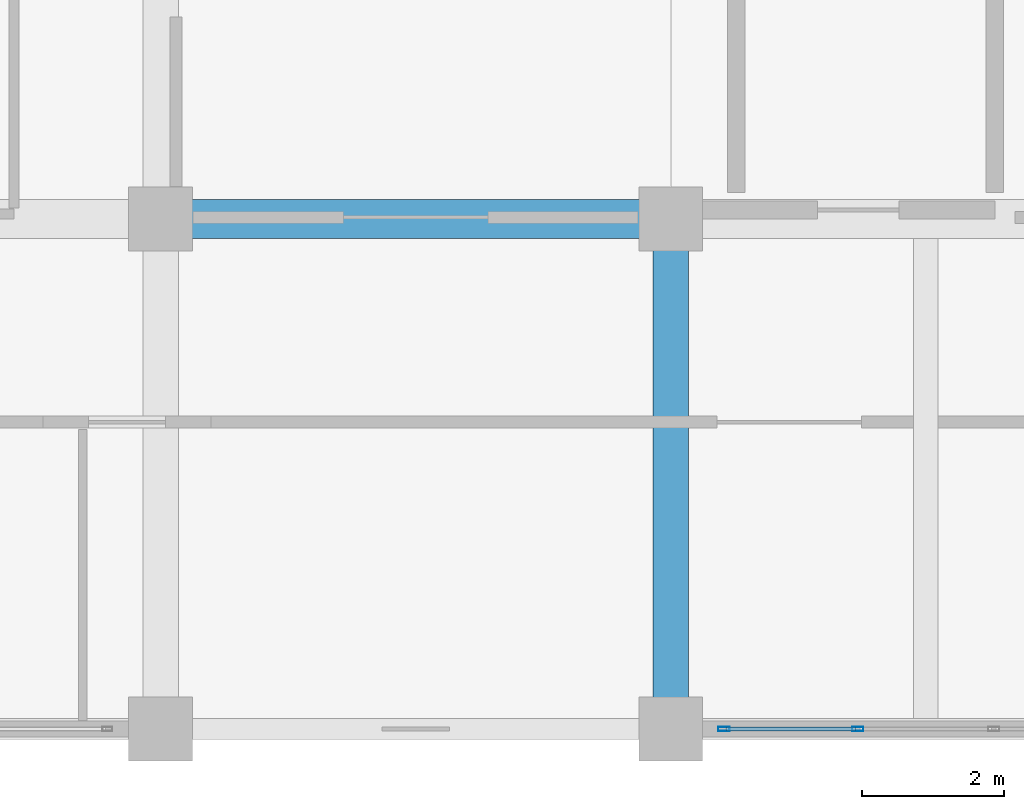
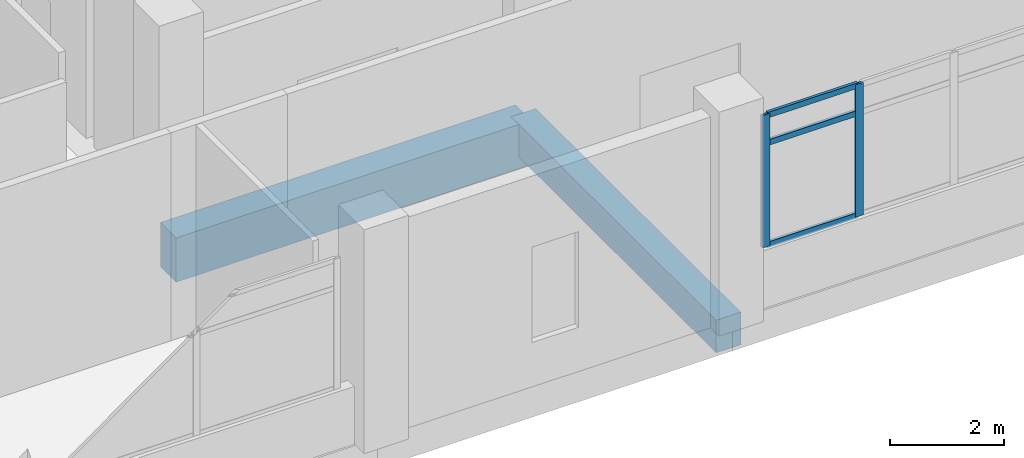
# One storey, part 34 of 181: 5 members, 2 beams, 1 element without a shape of its own.
"""IFC4 building model written with IfcOpenShell, lengths in metres."""

from ifc_helpers import new_model, si_unit, direction, frame, origin, origin_2d, place, context, subcontext, project, spatial, rectangle, hollow_rectangle, extrude, material, layer, layer_set, material_profile, profile_set, type_object, element, aggregate, save


model = new_model("IFC4")

# Units and contexts
model_context = context("Model", 3, precision=1e-05, world=origin(), true_north=direction((0.0, 1.0)))
body_context = subcontext(model_context, "Body", "Model", "MODEL_VIEW")
ifc_project = project(units=[si_unit("LENGTHUNIT", "METRE"), si_unit("AREAUNIT", "SQUARE_METRE"), si_unit("VOLUMEUNIT", "CUBIC_METRE"), si_unit("PLANEANGLEUNIT", "RADIAN"), si_unit("MASSUNIT", "GRAM", prefix="KILO")], contexts=[model_context])

# Site, building, storey
site_placement = place(None, origin())
site = spatial("IfcSite", under=ifc_project, at=site_placement, CompositionType="ELEMENT")
building_placement = place(site_placement, origin())
building = spatial("IfcBuilding", under=site, at=building_placement, Name="Seraya Terrace Polytechnic", CompositionType="ELEMENT")
storey_placement = place(building_placement, frame((0.0, 0.0, 4.800048828125)))
storey = spatial("IfcBuildingStorey", under=building, at=storey_placement, Name="L01", CompositionType="ELEMENT", Elevation=4.800048828125)

# Beams
ifc_material_1 = material(Name="Concrete C40/50", Category="concrete")
ifc_material_profile_1 = material_profile(ifc_material_1, rectangle(XDim=0.550048828125, YDim=0.949951171875, at=origin_2d()), Name="RC 550x950")
ifc_profile_set_1 = profile_set([ifc_material_profile_1], Name="Concrete C40/50")
beam_type_1 = type_object("IfcBeamType", Name="BM-03", PredefinedType="BEAM", material=ifc_profile_set_1)
beam_1_placement = place(storey_placement, frame((79.199951171875, 7.199951171875, -0.47509765625), z_axis=(1.0, 0.0, 0.0), x_axis=(0.0, 1.0, 0.0)))
element("IfcBeam", 1, at=beam_1_placement, inside=storey, type_object=beam_type_1, Name="Beam BM-03 L01 X (79.2..86.4, 7.2)", PredefinedType="BEAM", context=body_context, shape_type="SweptSolid", body=[
    extrude(rectangle(XDim=0.550048828125, YDim=0.949951171875, at=origin_2d()), origin(), (0.0, 0.0, 1.0), 7.199951171875),
])
ifc_material_profile_2 = material_profile(ifc_material_1, rectangle(XDim=0.5, YDim=0.699951171875, at=origin_2d()), Name="RC 500x700")
ifc_profile_set_2 = profile_set([ifc_material_profile_2], Name="Concrete C40/50")
beam_type_2 = type_object("IfcBeamType", Name="BM-07", PredefinedType="BEAM", material=ifc_profile_set_2)
beam_2_placement = place(storey_placement, frame((86.39990234375, 0.0, -0.35009765625), z_axis=(0.0, 1.0, 0.0), x_axis=(-1.0, 0.0, 0.0)))
element("IfcBeam", 2, at=beam_2_placement, inside=storey, type_object=beam_type_2, Name="Beam BM-07 L01 Y (86.4, 0.0..7.2)", PredefinedType="BEAM", context=body_context, shape_type="SweptSolid", body=[
    extrude(rectangle(XDim=0.5, YDim=0.699951171875, at=origin_2d()), origin(), (0.0, 0.0, 1.0), 7.199951171875),
])

# Curtain wall, members
ifc_material_2 = material(Name="Anodised aluminium EN AW-6063 T6", Category="aluminium")
ifc_layer = layer(ifc_material_2, 0.179931640625, Name="CW-32")
ifc_layer_set = layer_set([ifc_layer], Name="Anodised aluminium EN AW-6063 T6")
curtain_wall_type = type_object("IfcCurtainWallType", Name="CW-32", PredefinedType="NOTDEFINED", material=ifc_layer_set)
curtain_wall_placement = place(storey_placement, origin())
curtain_wall = element("IfcCurtainWall", 3, at=curtain_wall_placement, inside=storey, type_object=curtain_wall_type, Name="Unitised curtain wall CW-32 (CW-L01-032)", PredefinedType="NOTDEFINED")
ifc_material_profile_3 = material_profile(ifc_material_2, hollow_rectangle(XDim=0.06005859375, YDim=0.159912109375, WallThickness=0.00341796875, at=origin_2d()), Name="RHS 160x60x3.5")
ifc_profile_set_3 = profile_set([ifc_material_profile_3], Name="Anodised aluminium EN AW-6063 T6")
member_type_1 = type_object("IfcMemberType", Name="CWM-02", PredefinedType="MULLION", material=ifc_profile_set_3)
member_1_placement = place(storey_placement, frame((89.0400390625, 0.0, 1.239990234375), z_axis=(0.0, 0.0, 1.0), x_axis=(0.0, -1.0, 0.0)))
member_1 = element("IfcMember", 4, at=member_1_placement, type_object=member_type_1, Name="CW-32 mullion 3", PredefinedType="MULLION", context=body_context, shape_type="SweptSolid", body=[
    extrude(hollow_rectangle(XDim=0.06005859375, YDim=0.159912109375, WallThickness=0.00341796875, at=origin_2d()), origin(), (0.0, 0.0, 1.0), 2.83984375),
])
member_2_placement = place(storey_placement, frame((87.14990234375, 0.0, 1.239990234375), z_axis=(0.0, 0.0, 1.0), x_axis=(0.0, -1.0, 0.0)))
member_2 = element("IfcMember", 5, at=member_2_placement, type_object=member_type_1, Name="CW-32 mullion 4", PredefinedType="MULLION", context=body_context, shape_type="SweptSolid", body=[
    extrude(hollow_rectangle(XDim=0.06005859375, YDim=0.159912109375, WallThickness=0.00341796875, at=origin_2d()), origin(), (0.0, 0.0, 1.0), 2.83984375),
])
ifc_material_profile_4 = material_profile(ifc_material_2, hollow_rectangle(XDim=0.06005859375, YDim=0.1201171875, WallThickness=0.003173828125, at=origin_2d()), Name="RHS 120x60x3.2")
ifc_profile_set_4 = profile_set([ifc_material_profile_4], Name="Anodised aluminium EN AW-6063 T6")
member_type_2 = type_object("IfcMemberType", Name="CWT-02", PredefinedType="USERDEFINED", material=ifc_profile_set_4)
member_3_placement = place(storey_placement, frame((89.010009765625, 0.0, 1.27001953125), z_axis=(-1.0, 0.0, 0.0), x_axis=(0.0, -1.0, 0.0)))
member_3 = element("IfcMember", 6, at=member_3_placement, type_object=member_type_2, Name="CW-32 transom 3.1", ObjectType="TRANSOM", PredefinedType="USERDEFINED", context=body_context, shape_type="SweptSolid", body=[
    extrude(hollow_rectangle(XDim=0.06005859375, YDim=0.1201171875, WallThickness=0.003173828125, at=origin_2d()), origin(), (0.0, 0.0, 1.0), 1.830078125),
])
member_4_placement = place(storey_placement, frame((89.010009765625, 0.0, 3.4599609375), z_axis=(-1.0, 0.0, 0.0), x_axis=(0.0, -1.0, 0.0)))
member_4 = element("IfcMember", 7, at=member_4_placement, type_object=member_type_2, Name="CW-32 transom 3.2", ObjectType="TRANSOM", PredefinedType="USERDEFINED", context=body_context, shape_type="SweptSolid", body=[
    extrude(hollow_rectangle(XDim=0.06005859375, YDim=0.1201171875, WallThickness=0.003173828125, at=origin_2d()), origin(), (0.0, 0.0, 1.0), 1.830078125),
])
member_5_placement = place(storey_placement, frame((89.010009765625, 0.0, 4.050048828125), z_axis=(-1.0, 0.0, 0.0), x_axis=(0.0, -1.0, 0.0)))
member_5 = element("IfcMember", 8, at=member_5_placement, type_object=member_type_2, Name="CW-32 transom 3.3", ObjectType="TRANSOM", PredefinedType="USERDEFINED", context=body_context, shape_type="SweptSolid", body=[
    extrude(hollow_rectangle(XDim=0.06005859375, YDim=0.1201171875, WallThickness=0.003173828125, at=origin_2d()), origin(), (0.0, 0.0, 1.0), 1.830078125),
])
aggregate(curtain_wall, [member_1, member_2, member_3, member_4, member_5])

save(model, "model.ifc")
